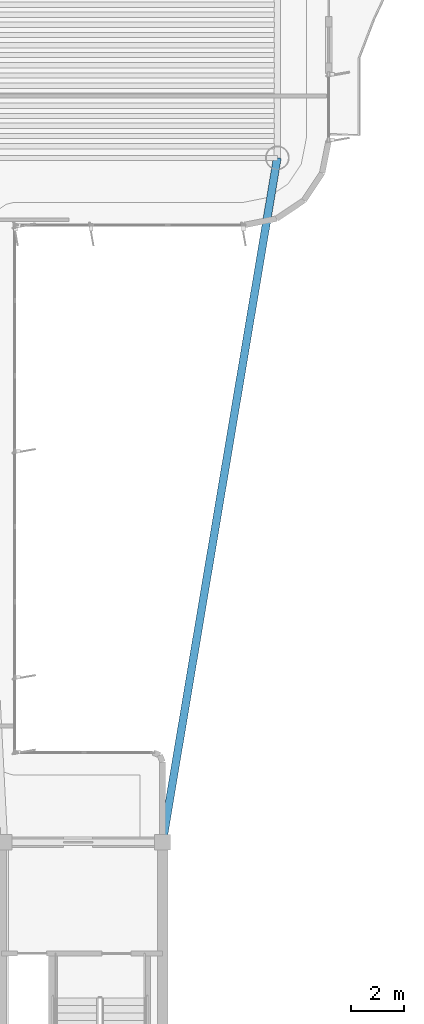
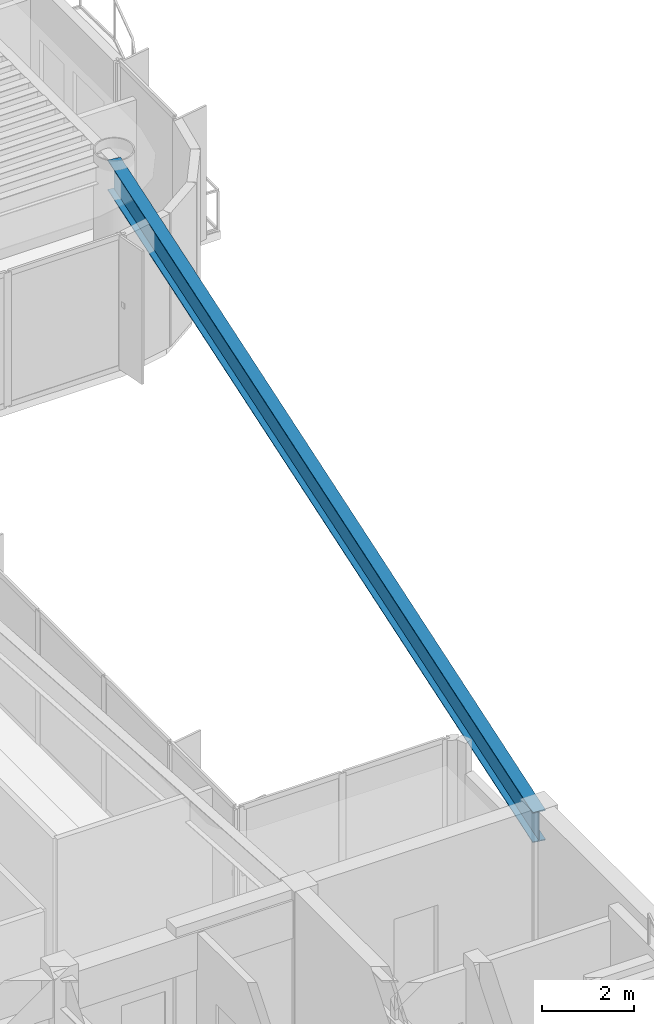
# One storey, part 4 of 15: 1 beam.
"""IFC4 building model written with IfcOpenShell, lengths in metres."""

from ifc_helpers import new_model, si_unit, direction, frame, origin, origin_2d, place, context, subcontext, project, spatial, i_section, extrude, source, transform, mapped, material, material_profile, profile_set, type_object, element, save


model = new_model("IFC4")

# Units and contexts
model_context = context("Model", 3, precision=1e-05, world=origin(), true_north=direction((0.0, 1.0)))
body_context = subcontext(model_context, "Body", "Model", "MODEL_VIEW")
ifc_project = project(units=[si_unit("LENGTHUNIT", "METRE"), si_unit("AREAUNIT", "SQUARE_METRE"), si_unit("VOLUMEUNIT", "CUBIC_METRE"), si_unit("PLANEANGLEUNIT", "RADIAN"), si_unit("MASSUNIT", "GRAM", prefix="KILO")], contexts=[model_context])

# Site, building, storey
site_placement = place(None, origin())
site = spatial("IfcSite", under=ifc_project, at=site_placement, CompositionType="ELEMENT")
building_placement = place(site_placement, origin())
building = spatial("IfcBuilding", under=site, at=building_placement, Name="Brelvock Crest Care Tower", CompositionType="ELEMENT")
storey_placement = place(building_placement, frame((0.0, 0.0, 268.3798828125)))
storey = spatial("IfcBuildingStorey", under=building, at=storey_placement, Name="L68", CompositionType="ELEMENT", Elevation=268.3798828125)

# Beam
ifc_material = material(Name="Steel Grade 350", Category="steel")
ifc_material_profile = material_profile(ifc_material, i_section(OverallWidth=0.300048828125, OverallDepth=0.800048828125, WebThickness=0.013916015625, FlangeThickness=0.02197265625, at=origin_2d()), Name="800WB192")
ifc_profile_set = profile_set([ifc_material_profile], Name="Steel Grade 350")
beam_type = type_object("IfcBeamType", Name="BM-G5", PredefinedType="BEAM", material=ifc_profile_set)
shared_shape = source(origin(), body_context, "Body", "SweptSolid", [
    extrude(i_section(OverallWidth=0.300048828125, OverallDepth=0.800048828125, WebThickness=0.013916015625, FlangeThickness=0.02197265625, at=origin_2d()), origin(), (0.0, 0.0, 1.0), 26.31201171875),
])
beam_placement = place(storey_placement, frame((48.0, 18.0, 3.130126953125), z_axis=(0.165327282709, 0.986238758918, 0.0), x_axis=(-0.986238758918, 0.165327282709, 0.0)))
element("IfcBeam", 1, at=beam_placement, inside=storey, type_object=beam_type, Name="BM-THRO-E-L68", PredefinedType="BEAM", context=body_context, shape_type="MappedRepresentation", body=[
    mapped(shared_shape, transform((0.0, 0.0, 0.0), x_axis=(1.0, 0.0, 0.0), y_axis=(0.0, 1.0, 0.0), z_axis=(0.0, 0.0, 1.0), scale=1.0)),
])

save(model, "model.ifc")
